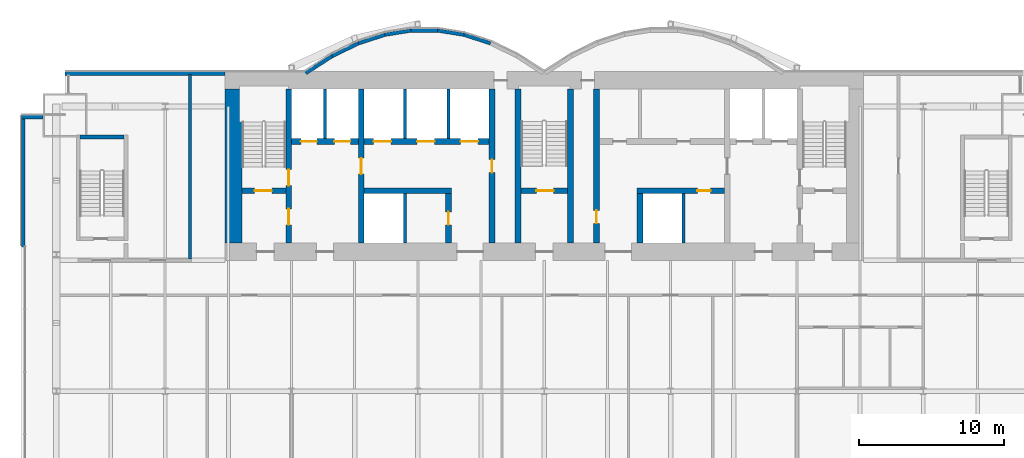
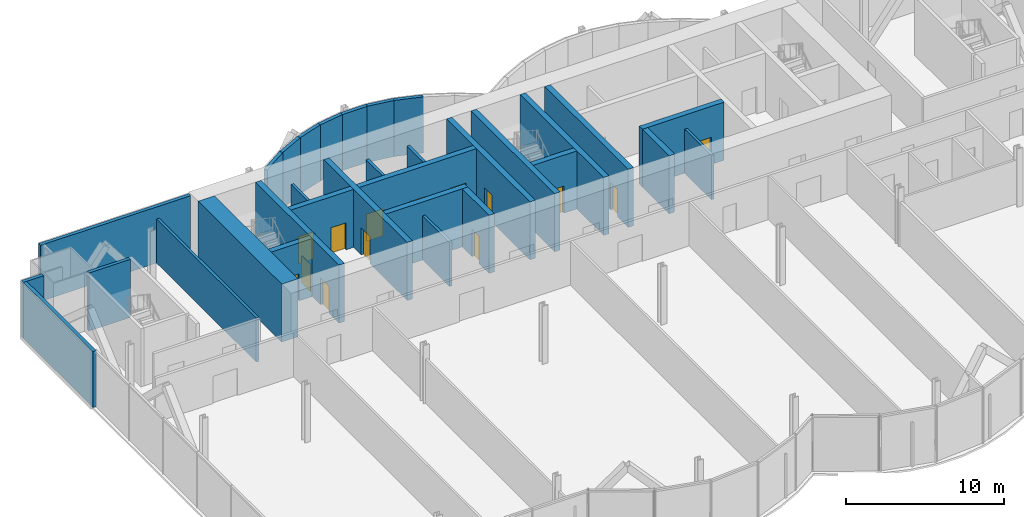
# One storey, part 16 of 21: 31 walls, 14 doors, 14 openings.
"""IFC4 building model written with IfcOpenShell, lengths in metres."""

from ifc_helpers import new_model, si_unit, direction, frame, frame_2d, origin, place, context, subcontext, project, spatial, rectangle, extrude, material, layer, layer_set, layer_usage, type_object, element, fill, save


model = new_model("IFC4")

# Units and contexts
model_context = context("Model", 3, precision=1e-05, world=origin(), true_north=direction((0.0, 1.0)))
body_context = subcontext(model_context, "Body", "Model", "MODEL_VIEW")
ifc_project = project(units=[si_unit("LENGTHUNIT", "METRE"), si_unit("AREAUNIT", "SQUARE_METRE"), si_unit("VOLUMEUNIT", "CUBIC_METRE"), si_unit("PLANEANGLEUNIT", "RADIAN"), si_unit("MASSUNIT", "GRAM", prefix="KILO")], contexts=[model_context])

# Site, building, storey
site_placement = place(None, origin())
site = spatial("IfcSite", under=ifc_project, at=site_placement, CompositionType="ELEMENT")
building_placement = place(site_placement, origin())
building = spatial("IfcBuilding", under=site, at=building_placement, Name="Bicima Exchange Tower", CompositionType="ELEMENT")
storey_placement = place(building_placement, frame((0.0, 0.0, 48.5)))
storey = spatial("IfcBuildingStorey", under=building, at=storey_placement, Name="L09", CompositionType="ELEMENT", Elevation=48.5)

# Walls
ifc_material_1 = material(Name="Gypsum board partition")
ifc_layer_1 = layer(ifc_material_1, 0.199951171875)
ifc_layer_set_1 = layer_set([ifc_layer_1], Name="Gypsum board partition")
wall_type_1 = type_object("IfcWallType", Name="Fire-rated gypsum partition 200 EI120", PredefinedType="PARTITIONING", material=ifc_layer_set_1)
for number, where, z_axis, x_axis, name in (
    (1, (-15.10009765625, -4.60009765625, 0.0), (0.0, 0.0, 1.0), (0.0, 1.0, 0.0), "partition wall 9"),
    (2, (-9.60009765625, -11.800048828125, 0.0), (0.0, 0.0, 1.0), (0.0, 1.0, 0.0), "partition wall 11"),
    (3, (-9.60009765625, -4.60009765625, 0.0), (0.0, 0.0, 1.0), (0.0, 1.0, 0.0), "partition wall 12"),
    (4, (-6.60009765625, -4.60009765625, 0.0), (0.0, 0.0, 1.0), (0.0, 1.0, 0.0), "partition wall 14"),
    (5, (9.60009765625, -11.800048828125, 0.0), (0.0, 0.0, 1.0), (0.0, 1.0, 0.0), "partition wall 21"),
):
    element("IfcWall", number, at=place(storey_placement, frame(where, z_axis=z_axis, x_axis=x_axis)), inside=storey, type_object=wall_type_1, Name=name, PredefinedType="PARTITIONING", context=body_context, shape_type="SweptSolid", body=[
        extrude(rectangle(XDim=3.400146484375, YDim=0.199951171875, at=frame_2d((1.7001953125, 0.0))), origin(), (0.0, 0.0, 1.0), 3.418212890625),
    ])
ifc_layer_2 = layer(ifc_material_1, 0.199951171875)
ifc_layer_set_2 = layer_set([ifc_layer_2], Name="Gypsum board partition")
wall_type_2 = type_object("IfcWallType", Name="Fire-rated gypsum partition 200 EI60", PredefinedType="PARTITIONING", material=ifc_layer_set_2)
wall_1_placement = place(storey_placement, frame((-24.39990234375, -12.89990234375, 0.0), z_axis=(0.0, 0.0, 1.0), x_axis=(0.0, 1.0, 0.0)))
element("IfcWall", 6, at=wall_1_placement, inside=storey, type_object=wall_type_2, Name="partition wall 14", PredefinedType="PARTITIONING", context=body_context, shape_type="SweptSolid", body=[
    extrude(rectangle(XDim=12.68994140625, YDim=0.199951171875, at=frame_2d((6.344970703125, 0.0))), origin(), (0.0, 0.0, 1.0), 3.418212890625),
])
ifc_material_2 = material(Name="Concrete C60/75", Category="concrete")
ifc_layer_3 = layer(ifc_material_2, 1.199951171875)
ifc_layer_set_3 = layer_set([ifc_layer_3], Name="Concrete C60/75")
wall_type_3 = type_object("IfcWallType", Name="RC core wall 1200 C60/75", PredefinedType="SHEAR", material=ifc_layer_set_3)
wall_2_placement = place(storey_placement, frame((-21.39990234375, -11.800048828125, 0.0), z_axis=(0.0, 0.0, 1.0), x_axis=(0.0, 1.0, 0.0)))
element("IfcWall", 7, at=wall_2_placement, inside=storey, type_object=wall_type_3, Name="Core wall west", PredefinedType="SHEAR", context=body_context, shape_type="SweptSolid", body=[
    extrude(rectangle(XDim=10.60009765625, YDim=1.199951171875, at=frame_2d((5.300048828125, 0.0))), origin(), (0.0, 0.0, 1.0), 4.5),
])

# Wall, opening, door
ifc_material_3 = material(Name="Concrete C50/60", Category="concrete")
ifc_layer_4 = layer(ifc_material_3, 0.39990234375)
ifc_layer_set_4 = layer_set([ifc_layer_4], Name="Concrete C50/60")
wall_type_4 = type_object("IfcWallType", Name="RC core wall 400 C50/60", PredefinedType="SHEAR", material=ifc_layer_set_4)
wall_3_placement = place(storey_placement, frame((-20.800048828125, -8.199951171875, 0.0), z_axis=(0.0, 0.0, 1.0), x_axis=(1.0, 0.0, 0.0)))
wall_3 = element("IfcWall", 8, at=wall_3_placement, inside=storey, type_object=wall_type_4, Name="stair wall 1", PredefinedType="SHEAR", context=body_context, shape_type="SweptSolid", body=[
    extrude(rectangle(XDim=3.0, YDim=0.39990234375, at=frame_2d((1.5, 0.0))), origin(), (0.0, 0.0, 1.0), 4.5),
])
opening_1_placement = place(wall_3_placement, frame((0.85009765625, 0.0, 0.0)))
opening_1 = element("IfcOpeningElement", 9, at=opening_1_placement, cuts=wall_3, Name="Opening L09-C01", PredefinedType="OPENING", context=body_context, shape_type="SweptSolid", body=[
    extrude(rectangle(XDim=1.199951171875, YDim=2.10009765625, at=frame_2d((0.60009765625, 1.050048828125))), frame((0.0, 0.2119140625, 0.0), z_axis=(0.0, -1.0, 0.0), x_axis=(1.0, 0.0, 0.0)), (0.0, 0.0, 1.0), 0.423828125),
])
ifc_material_4 = material(Name="Steel fire door leaf", Category="steel")
door_type_1 = type_object("IfcDoorType", Name="Door 1200 swing FD60S", OperationType="SINGLE_SWING_LEFT", PredefinedType="DOOR", material=ifc_material_4)
door_1_placement = place(opening_1_placement, origin())
door_1 = element("IfcDoor", 10, at=door_1_placement, inside=storey, type_object=door_type_1, Name="Core door", OperationType="SINGLE_SWING_LEFT", OverallHeight=2.10009765625, OverallWidth=1.199951171875, PredefinedType="DOOR", context=body_context, shape_type="SweptSolid", body=[
    extrude(rectangle(XDim=1.199951171875, YDim=2.10009765625, at=frame_2d((0.60009765625, 1.050048828125))), frame((0.0, 0.02490234375, 0.0), z_axis=(0.0, -1.0, 0.0), x_axis=(1.0, 0.0, 0.0)), (0.0, 0.0, 1.0), 0.050048828125),
])
fill(opening_1, door_1)

wall_4_placement = place(storey_placement, frame((-1.60009765625, -8.199951171875, 0.0), z_axis=(0.0, 0.0, 1.0), x_axis=(1.0, 0.0, 0.0)))
wall_4 = element("IfcWall", 11, at=wall_4_placement, inside=storey, type_object=wall_type_4, Name="stair wall 3", PredefinedType="SHEAR", context=body_context, shape_type="SweptSolid", body=[
    extrude(rectangle(XDim=3.2001953125, YDim=0.39990234375, at=frame_2d((1.60009765625, 0.0))), origin(), (0.0, 0.0, 1.0), 4.5),
])
opening_2_placement = place(wall_4_placement, frame((1.050048828125, 0.0, 0.0)))
opening_2 = element("IfcOpeningElement", 12, at=opening_2_placement, cuts=wall_4, Name="Opening L09-C03", PredefinedType="OPENING", context=body_context, shape_type="SweptSolid", body=[
    extrude(rectangle(XDim=1.199951171875, YDim=2.10009765625, at=frame_2d((0.60009765625, 1.050048828125))), frame((0.0, 0.2119140625, 0.0), z_axis=(0.0, -1.0, 0.0), x_axis=(1.0, 0.0, 0.0)), (0.0, 0.0, 1.0), 0.423828125),
])
door_2_placement = place(opening_2_placement, origin())
door_2 = element("IfcDoor", 13, at=door_2_placement, inside=storey, type_object=door_type_1, Name="Core door", OperationType="SINGLE_SWING_LEFT", OverallHeight=2.10009765625, OverallWidth=1.199951171875, PredefinedType="DOOR", context=body_context, shape_type="SweptSolid", body=[
    extrude(rectangle(XDim=1.199951171875, YDim=2.10009765625, at=frame_2d((0.60009765625, 1.050048828125))), frame((0.0, 0.02490234375, 0.0), z_axis=(0.0, -1.0, 0.0), x_axis=(1.0, 0.0, 0.0)), (0.0, 0.0, 1.0), 0.050048828125),
])
fill(opening_2, door_2)

# Wall, openings, doors
wall_5_placement = place(storey_placement, frame((-17.60009765625, -11.800048828125, 0.0), z_axis=(0.0, 0.0, 1.0), x_axis=(0.0, 1.0, 0.0)))
wall_5 = element("IfcWall", 14, at=wall_5_placement, inside=storey, type_object=wall_type_4, Name="stair wall 8", PredefinedType="SHEAR", context=body_context, shape_type="SweptSolid", body=[
    extrude(rectangle(XDim=10.60009765625, YDim=0.39990234375, at=frame_2d((5.300048828125, 0.0))), origin(), (0.0, 0.0, 1.0), 4.5),
])
opening_3_placement = place(wall_5_placement, frame((1.25, 0.0, 0.0)))
opening_3 = element("IfcOpeningElement", 15, at=opening_3_placement, cuts=wall_5, Name="Opening L09-C02", PredefinedType="OPENING", context=body_context, shape_type="SweptSolid", body=[
    extrude(rectangle(XDim=1.10009765625, YDim=2.10009765625, at=frame_2d((0.550048828125, 1.050048828125))), frame((0.0, 0.2119140625, 0.0), z_axis=(0.0, -1.0, 0.0), x_axis=(1.0, 0.0, 0.0)), (0.0, 0.0, 1.0), 0.423828125),
])
opening_4_placement = place(wall_5_placement, frame((3.949951171875, 0.0, 0.0)))
opening_4 = element("IfcOpeningElement", 16, at=opening_4_placement, cuts=wall_5, Name="Opening L09-C06", PredefinedType="OPENING", context=body_context, shape_type="SweptSolid", body=[
    extrude(rectangle(XDim=1.10009765625, YDim=2.10009765625, at=frame_2d((0.550048828125, 1.050048828125))), frame((0.0, 0.2119140625, 0.0), z_axis=(0.0, -1.0, 0.0), x_axis=(1.0, 0.0, 0.0)), (0.0, 0.0, 1.0), 0.423828125),
])
door_type_2 = type_object("IfcDoorType", Name="Door 1100 swing FD60S", OperationType="SINGLE_SWING_LEFT", PredefinedType="DOOR", material=ifc_material_4)
door_3_placement = place(opening_3_placement, frame((1.10009765625, 0.0, 0.0), z_axis=(0.0, 0.0, 1.0), x_axis=(-1.0, 0.0, 0.0)))
door_3 = element("IfcDoor", 17, at=door_3_placement, inside=storey, type_object=door_type_2, Name="Core door", OperationType="SINGLE_SWING_LEFT", OverallHeight=2.10009765625, OverallWidth=1.10009765625, PredefinedType="DOOR", context=body_context, shape_type="SweptSolid", body=[
    extrude(rectangle(XDim=1.10009765625, YDim=2.10009765625, at=frame_2d((0.550048828125, 1.050048828125))), frame((0.0, 0.02490234375, 0.0), z_axis=(0.0, -1.0, 0.0), x_axis=(1.0, 0.0, 0.0)), (0.0, 0.0, 1.0), 0.050048828125),
])
fill(opening_3, door_3)
door_4_placement = place(opening_4_placement, frame((1.10009765625, 0.0, 0.0), z_axis=(0.0, 0.0, 1.0), x_axis=(-1.0, 0.0, 0.0)))
door_4 = element("IfcDoor", 18, at=door_4_placement, inside=storey, type_object=door_type_2, Name="Core door", OperationType="SINGLE_SWING_LEFT", OverallHeight=2.10009765625, OverallWidth=1.10009765625, PredefinedType="DOOR", context=body_context, shape_type="SweptSolid", body=[
    extrude(rectangle(XDim=1.10009765625, YDim=2.10009765625, at=frame_2d((0.550048828125, 1.050048828125))), frame((0.0, 0.02490234375, 0.0), z_axis=(0.0, -1.0, 0.0), x_axis=(1.0, 0.0, 0.0)), (0.0, 0.0, 1.0), 0.050048828125),
])
fill(opening_4, door_4)

# Walls
for number, where, z_axis, x_axis, name in (
    (19, (-1.800048828125, -11.800048828125, 0.0), (0.0, 0.0, 1.0), (0.0, 1.0, 0.0), "stair wall 16"),
    (20, (1.800048828125, -11.800048828125, 0.0), (0.0, 0.0, 1.0), (0.0, 1.0, 0.0), "stair wall 17"),
):
    element("IfcWall", number, at=place(storey_placement, frame(where, z_axis=z_axis, x_axis=x_axis)), inside=storey, type_object=wall_type_4, Name=name, PredefinedType="SHEAR", context=body_context, shape_type="SweptSolid", body=[
        extrude(rectangle(XDim=10.60009765625, YDim=0.39990234375, at=frame_2d((5.300048828125, 0.0))), origin(), (0.0, 0.0, 1.0), 4.5),
    ])
ifc_layer_5 = layer(ifc_material_2, 0.39990234375)
ifc_layer_set_5 = layer_set([ifc_layer_5], Name="Concrete C60/75")
wall_type_5 = type_object("IfcWallType", Name="RC core wall 400 C60/75", PredefinedType="SHEAR", material=ifc_layer_set_5)
wall_6_placement = place(storey_placement, frame((-12.39990234375, -8.199951171875, 0.0), z_axis=(0.0, 0.0, 1.0), x_axis=(1.0, 0.0, 0.0)))
element("IfcWall", 21, at=wall_6_placement, inside=storey, type_object=wall_type_5, Name="shear wall 2", PredefinedType="SHEAR", context=body_context, shape_type="SweptSolid", body=[
    extrude(rectangle(XDim=6.0, YDim=0.39990234375, at=frame_2d((3.0, 0.0))), origin(), (0.0, 0.0, 1.0), 4.5),
])

# Wall, opening, door
wall_7_placement = place(storey_placement, frame((6.39990234375, -8.199951171875, 0.0), z_axis=(0.0, 0.0, 1.0), x_axis=(1.0, 0.0, 0.0)))
wall_7 = element("IfcWall", 22, at=wall_7_placement, inside=storey, type_object=wall_type_5, Name="shear wall 4", PredefinedType="SHEAR", context=body_context, shape_type="SweptSolid", body=[
    extrude(rectangle(XDim=6.0, YDim=0.39990234375, at=frame_2d((3.0, 0.0))), origin(), (0.0, 0.0, 1.0), 4.5),
])
opening_5_placement = place(wall_7_placement, frame((4.14990234375, 0.0, 0.0)))
opening_5 = element("IfcOpeningElement", 23, at=opening_5_placement, cuts=wall_7, Name="Opening L09-C15", PredefinedType="OPENING", context=body_context, shape_type="SweptSolid", body=[
    extrude(rectangle(XDim=0.89990234375, YDim=2.10009765625, at=frame_2d((0.449951171875, 1.050048828125))), frame((0.0, 0.2119140625, 0.0), z_axis=(0.0, -1.0, 0.0), x_axis=(1.0, 0.0, 0.0)), (0.0, 0.0, 1.0), 0.423828125),
])
door_type_3 = type_object("IfcDoorType", Name="Door 900 swing FD30S", OperationType="SINGLE_SWING_LEFT", PredefinedType="DOOR", material=ifc_material_4)
door_5_placement = place(opening_5_placement, frame((0.89990234375, 0.0, 0.0), z_axis=(0.0, 0.0, 1.0), x_axis=(-1.0, 0.0, 0.0)))
door_5 = element("IfcDoor", 24, at=door_5_placement, inside=storey, type_object=door_type_3, Name="Core door", OperationType="SINGLE_SWING_RIGHT", OverallHeight=2.10009765625, OverallWidth=0.89990234375, PredefinedType="DOOR", context=body_context, shape_type="SweptSolid", body=[
    extrude(rectangle(XDim=0.89990234375, YDim=2.10009765625, at=frame_2d((0.449951171875, 1.050048828125))), frame((0.0, 0.02490234375, 0.0), z_axis=(0.0, -1.0, 0.0), x_axis=(1.0, 0.0, 0.0)), (0.0, 0.0, 1.0), 0.050048828125),
])
fill(opening_5, door_5)

# Wall, openings, doors
wall_8_placement = place(storey_placement, frame((-17.39990234375, -4.800048828125, 0.0), z_axis=(0.0, 0.0, 1.0), x_axis=(1.0, 0.0, 0.0)))
wall_8 = element("IfcWall", 25, at=wall_8_placement, inside=storey, type_object=wall_type_5, Name="shear wall 6", PredefinedType="SHEAR", context=body_context, shape_type="SweptSolid", body=[
    extrude(rectangle(XDim=13.599853515625, YDim=0.39990234375, at=frame_2d((6.7998046875, 0.0))), origin(), (0.0, 0.0, 1.0), 4.5),
])
opening_6_placement = place(wall_8_placement, frame((0.64990234375, 0.0, 0.0)))
opening_6 = element("IfcOpeningElement", 26, at=opening_6_placement, cuts=wall_8, Name="Opening LD-FF1-L09", PredefinedType="OPENING", context=body_context, shape_type="SweptSolid", body=[
    extrude(rectangle(XDim=1.10009765625, YDim=2.10009765625, at=frame_2d((0.550048828125, 1.050048828125))), frame((0.0, 0.2119140625, 0.0), z_axis=(0.0, -1.0, 0.0), x_axis=(1.0, 0.0, 0.0)), (0.0, 0.0, 1.0), 0.423828125),
])
opening_7_placement = place(wall_8_placement, frame((2.949951171875, 0.0, 0.0)))
opening_7 = element("IfcOpeningElement", 27, at=opening_7_placement, cuts=wall_8, Name="Opening LD-FF3-L09", PredefinedType="OPENING", context=body_context, shape_type="SweptSolid", body=[
    extrude(rectangle(XDim=1.10009765625, YDim=2.10009765625, at=frame_2d((0.550048828125, 1.050048828125))), frame((0.0, 0.2119140625, 0.0), z_axis=(0.0, -1.0, 0.0), x_axis=(1.0, 0.0, 0.0)), (0.0, 0.0, 1.0), 0.423828125),
])
opening_8_placement = place(wall_8_placement, frame((5.64990234375, 0.0, 0.0)))
opening_8 = element("IfcOpeningElement", 28, at=opening_8_placement, cuts=wall_8, Name="Opening LD-LB1-L09", PredefinedType="OPENING", context=body_context, shape_type="SweptSolid", body=[
    extrude(rectangle(XDim=1.199951171875, YDim=2.10009765625, at=frame_2d((0.60009765625, 1.050048828125))), frame((0.0, 0.2119140625, 0.0), z_axis=(0.0, -1.0, 0.0), x_axis=(1.0, 0.0, 0.0)), (0.0, 0.0, 1.0), 0.423828125),
])
opening_9_placement = place(wall_8_placement, frame((8.64990234375, 0.0, 0.0)))
opening_9 = element("IfcOpeningElement", 29, at=opening_9_placement, cuts=wall_8, Name="Opening LD-LB2-L09", PredefinedType="OPENING", context=body_context, shape_type="SweptSolid", body=[
    extrude(rectangle(XDim=1.199951171875, YDim=2.10009765625, at=frame_2d((0.60009765625, 1.050048828125))), frame((0.0, 0.2119140625, 0.0), z_axis=(0.0, -1.0, 0.0), x_axis=(1.0, 0.0, 0.0)), (0.0, 0.0, 1.0), 0.423828125),
])
opening_10_placement = place(wall_8_placement, frame((11.64990234375, 0.0, 0.0)))
opening_10 = element("IfcOpeningElement", 30, at=opening_10_placement, cuts=wall_8, Name="Opening LD-LB3-L09", PredefinedType="OPENING", context=body_context, shape_type="SweptSolid", body=[
    extrude(rectangle(XDim=1.199951171875, YDim=2.10009765625, at=frame_2d((0.60009765625, 1.050048828125))), frame((0.0, 0.2119140625, 0.0), z_axis=(0.0, -1.0, 0.0), x_axis=(1.0, 0.0, 0.0)), (0.0, 0.0, 1.0), 0.423828125),
])
ifc_material_5 = material(Name="Stainless steel", Category="steel")
door_type_4 = type_object("IfcDoorType", Name="Lift landing door 1100 sliding", OperationType="DOUBLE_DOOR_SLIDING", PredefinedType="DOOR", material=ifc_material_5)
door_6_placement = place(opening_6_placement, origin())
door_6 = element("IfcDoor", 31, at=door_6_placement, inside=storey, type_object=door_type_4, Name="Lift landing door FF1", OperationType="DOUBLE_DOOR_SLIDING", OverallHeight=2.10009765625, OverallWidth=1.10009765625, PredefinedType="DOOR", context=body_context, shape_type="SweptSolid", body=[
    extrude(rectangle(XDim=1.10009765625, YDim=2.10009765625, at=frame_2d((0.550048828125, 1.050048828125))), frame((0.0, 0.02490234375, 0.0), z_axis=(0.0, -1.0, 0.0), x_axis=(1.0, 0.0, 0.0)), (0.0, 0.0, 1.0), 0.050048828125),
])
fill(opening_6, door_6)
door_7_placement = place(opening_7_placement, origin())
door_7 = element("IfcDoor", 32, at=door_7_placement, inside=storey, type_object=door_type_4, Name="Lift landing door FF3", OperationType="DOUBLE_DOOR_SLIDING", OverallHeight=2.10009765625, OverallWidth=1.10009765625, PredefinedType="DOOR", context=body_context, shape_type="SweptSolid", body=[
    extrude(rectangle(XDim=1.10009765625, YDim=2.10009765625, at=frame_2d((0.550048828125, 1.050048828125))), frame((0.0, 0.02490234375, 0.0), z_axis=(0.0, -1.0, 0.0), x_axis=(1.0, 0.0, 0.0)), (0.0, 0.0, 1.0), 0.050048828125),
])
fill(opening_7, door_7)
door_type_5 = type_object("IfcDoorType", Name="Lift landing door 1200 sliding", OperationType="DOUBLE_DOOR_SLIDING", PredefinedType="DOOR", material=ifc_material_5)
door_8_placement = place(opening_8_placement, origin())
door_8 = element("IfcDoor", 33, at=door_8_placement, inside=storey, type_object=door_type_5, Name="Lift landing door LB1", OperationType="DOUBLE_DOOR_SLIDING", OverallHeight=2.10009765625, OverallWidth=1.199951171875, PredefinedType="DOOR", context=body_context, shape_type="SweptSolid", body=[
    extrude(rectangle(XDim=1.199951171875, YDim=2.10009765625, at=frame_2d((0.60009765625, 1.050048828125))), frame((0.0, 0.02490234375, 0.0), z_axis=(0.0, -1.0, 0.0), x_axis=(1.0, 0.0, 0.0)), (0.0, 0.0, 1.0), 0.050048828125),
])
fill(opening_8, door_8)
door_9_placement = place(opening_9_placement, origin())
door_9 = element("IfcDoor", 34, at=door_9_placement, inside=storey, type_object=door_type_5, Name="Lift landing door LB2", OperationType="DOUBLE_DOOR_SLIDING", OverallHeight=2.10009765625, OverallWidth=1.199951171875, PredefinedType="DOOR", context=body_context, shape_type="SweptSolid", body=[
    extrude(rectangle(XDim=1.199951171875, YDim=2.10009765625, at=frame_2d((0.60009765625, 1.050048828125))), frame((0.0, 0.02490234375, 0.0), z_axis=(0.0, -1.0, 0.0), x_axis=(1.0, 0.0, 0.0)), (0.0, 0.0, 1.0), 0.050048828125),
])
fill(opening_9, door_9)
door_10_placement = place(opening_10_placement, origin())
door_10 = element("IfcDoor", 35, at=door_10_placement, inside=storey, type_object=door_type_5, Name="Lift landing door LB3", OperationType="DOUBLE_DOOR_SLIDING", OverallHeight=2.10009765625, OverallWidth=1.199951171875, PredefinedType="DOOR", context=body_context, shape_type="SweptSolid", body=[
    extrude(rectangle(XDim=1.199951171875, YDim=2.10009765625, at=frame_2d((0.60009765625, 1.050048828125))), frame((0.0, 0.02490234375, 0.0), z_axis=(0.0, -1.0, 0.0), x_axis=(1.0, 0.0, 0.0)), (0.0, 0.0, 1.0), 0.050048828125),
])
fill(opening_10, door_10)

# Wall, opening, door
wall_9_placement = place(storey_placement, frame((-12.60009765625, -11.800048828125, 0.0), z_axis=(0.0, 0.0, 1.0), x_axis=(0.0, 1.0, 0.0)))
wall_9 = element("IfcWall", 36, at=wall_9_placement, inside=storey, type_object=wall_type_5, Name="shear wall 10", PredefinedType="SHEAR", context=body_context, shape_type="SweptSolid", body=[
    extrude(rectangle(XDim=10.60009765625, YDim=0.39990234375, at=frame_2d((5.300048828125, 0.0))), origin(), (0.0, 0.0, 1.0), 4.5),
])
opening_11_placement = place(wall_9_placement, frame((4.75, 0.0, 0.0)))
opening_11 = element("IfcOpeningElement", 37, at=opening_11_placement, cuts=wall_9, Name="Opening L09-C07", PredefinedType="OPENING", context=body_context, shape_type="SweptSolid", body=[
    extrude(rectangle(XDim=1.10009765625, YDim=2.10009765625, at=frame_2d((0.550048828125, 1.050048828125))), frame((0.0, 0.2119140625, 0.0), z_axis=(0.0, -1.0, 0.0), x_axis=(1.0, 0.0, 0.0)), (0.0, 0.0, 1.0), 0.423828125),
])
door_11_placement = place(opening_11_placement, origin())
door_11 = element("IfcDoor", 38, at=door_11_placement, inside=storey, type_object=door_type_2, Name="Core door", OperationType="SINGLE_SWING_LEFT", OverallHeight=2.10009765625, OverallWidth=1.10009765625, PredefinedType="DOOR", context=body_context, shape_type="SweptSolid", body=[
    extrude(rectangle(XDim=1.10009765625, YDim=2.10009765625, at=frame_2d((0.550048828125, 1.050048828125))), frame((0.0, 0.02490234375, 0.0), z_axis=(0.0, -1.0, 0.0), x_axis=(1.0, 0.0, 0.0)), (0.0, 0.0, 1.0), 0.050048828125),
])
fill(opening_11, door_11)

wall_10_placement = place(storey_placement, frame((-6.60009765625, -11.800048828125, 0.0), z_axis=(0.0, 0.0, 1.0), x_axis=(0.0, 1.0, 0.0)))
wall_10 = element("IfcWall", 39, at=wall_10_placement, inside=storey, type_object=wall_type_5, Name="shear wall 13", PredefinedType="SHEAR", context=body_context, shape_type="SweptSolid", body=[
    extrude(rectangle(XDim=3.400146484375, YDim=0.39990234375, at=frame_2d((1.7001953125, 0.0))), origin(), (0.0, 0.0, 1.0), 4.5),
])
opening_12_placement = place(wall_10_placement, frame((1.25, 0.0, 0.0)))
opening_12 = element("IfcOpeningElement", 40, at=opening_12_placement, cuts=wall_10, Name="Opening L09-C14", PredefinedType="OPENING", context=body_context, shape_type="SweptSolid", body=[
    extrude(rectangle(XDim=0.89990234375, YDim=2.10009765625, at=frame_2d((0.449951171875, 1.050048828125))), frame((0.0, 0.2119140625, 0.0), z_axis=(0.0, -1.0, 0.0), x_axis=(1.0, 0.0, 0.0)), (0.0, 0.0, 1.0), 0.423828125),
])
door_12_placement = place(opening_12_placement, origin())
door_12 = element("IfcDoor", 41, at=door_12_placement, inside=storey, type_object=door_type_3, Name="Core door", OperationType="SINGLE_SWING_RIGHT", OverallHeight=2.10009765625, OverallWidth=0.89990234375, PredefinedType="DOOR", context=body_context, shape_type="SweptSolid", body=[
    extrude(rectangle(XDim=0.89990234375, YDim=2.10009765625, at=frame_2d((0.449951171875, 1.050048828125))), frame((0.0, 0.02490234375, 0.0), z_axis=(0.0, -1.0, 0.0), x_axis=(1.0, 0.0, 0.0)), (0.0, 0.0, 1.0), 0.050048828125),
])
fill(opening_12, door_12)

wall_11_placement = place(storey_placement, frame((-3.60009765625, -11.800048828125, 0.0), z_axis=(0.0, 0.0, 1.0), x_axis=(0.0, 1.0, 0.0)))
wall_11 = element("IfcWall", 42, at=wall_11_placement, inside=storey, type_object=wall_type_5, Name="shear wall 15", PredefinedType="SHEAR", context=body_context, shape_type="SweptSolid", body=[
    extrude(rectangle(XDim=10.60009765625, YDim=0.39990234375, at=frame_2d((5.300048828125, 0.0))), origin(), (0.0, 0.0, 1.0), 4.5),
])
opening_13_placement = place(wall_11_placement, frame((4.85009765625, 0.0, 0.0)))
opening_13 = element("IfcOpeningElement", 43, at=opening_13_placement, cuts=wall_11, Name="Opening L09-C10", PredefinedType="OPENING", context=body_context, shape_type="SweptSolid", body=[
    extrude(rectangle(XDim=0.89990234375, YDim=2.10009765625, at=frame_2d((0.449951171875, 1.050048828125))), frame((0.0, 0.2119140625, 0.0), z_axis=(0.0, -1.0, 0.0), x_axis=(1.0, 0.0, 0.0)), (0.0, 0.0, 1.0), 0.423828125),
])
door_13_placement = place(opening_13_placement, frame((0.89990234375, 0.0, 0.0), z_axis=(0.0, 0.0, 1.0), x_axis=(-1.0, 0.0, 0.0)))
door_13 = element("IfcDoor", 44, at=door_13_placement, inside=storey, type_object=door_type_3, Name="Core door", OperationType="SINGLE_SWING_LEFT", OverallHeight=2.10009765625, OverallWidth=0.89990234375, PredefinedType="DOOR", context=body_context, shape_type="SweptSolid", body=[
    extrude(rectangle(XDim=0.89990234375, YDim=2.10009765625, at=frame_2d((0.449951171875, 1.050048828125))), frame((0.0, 0.02490234375, 0.0), z_axis=(0.0, -1.0, 0.0), x_axis=(1.0, 0.0, 0.0)), (0.0, 0.0, 1.0), 0.050048828125),
])
fill(opening_13, door_13)

wall_12_placement = place(storey_placement, frame((3.60009765625, -11.800048828125, 0.0), z_axis=(0.0, 0.0, 1.0), x_axis=(0.0, 1.0, 0.0)))
wall_12 = element("IfcWall", 45, at=wall_12_placement, inside=storey, type_object=wall_type_5, Name="shear wall 18", PredefinedType="SHEAR", context=body_context, shape_type="SweptSolid", body=[
    extrude(rectangle(XDim=10.60009765625, YDim=0.39990234375, at=frame_2d((5.300048828125, 0.0))), origin(), (0.0, 0.0, 1.0), 4.5),
])
opening_14_placement = place(wall_12_placement, frame((1.35009765625, 0.0, 0.0)))
opening_14 = element("IfcOpeningElement", 46, at=opening_14_placement, cuts=wall_12, Name="Opening L09-C11", PredefinedType="OPENING", context=body_context, shape_type="SweptSolid", body=[
    extrude(rectangle(XDim=0.89990234375, YDim=2.10009765625, at=frame_2d((0.449951171875, 1.050048828125))), frame((0.0, 0.2119140625, 0.0), z_axis=(0.0, -1.0, 0.0), x_axis=(1.0, 0.0, 0.0)), (0.0, 0.0, 1.0), 0.423828125),
])
door_14_placement = place(opening_14_placement, origin())
door_14 = element("IfcDoor", 47, at=door_14_placement, inside=storey, type_object=door_type_3, Name="Core door", OperationType="SINGLE_SWING_LEFT", OverallHeight=2.10009765625, OverallWidth=0.89990234375, PredefinedType="DOOR", context=body_context, shape_type="SweptSolid", body=[
    extrude(rectangle(XDim=0.89990234375, YDim=2.10009765625, at=frame_2d((0.449951171875, 1.050048828125))), frame((0.0, 0.02490234375, 0.0), z_axis=(0.0, -1.0, 0.0), x_axis=(1.0, 0.0, 0.0)), (0.0, 0.0, 1.0), 0.050048828125),
])
fill(opening_14, door_14)

# Walls
wall_13_placement = place(storey_placement, frame((6.60009765625, -11.800048828125, 0.0), z_axis=(0.0, 0.0, 1.0), x_axis=(0.0, 1.0, 0.0)))
element("IfcWall", 48, at=wall_13_placement, inside=storey, type_object=wall_type_5, Name="shear wall 19", PredefinedType="SHEAR", context=body_context, shape_type="SweptSolid", body=[
    extrude(rectangle(XDim=3.400146484375, YDim=0.39990234375, at=frame_2d((1.7001953125, 0.0))), origin(), (0.0, 0.0, 1.0), 4.5),
])
ifc_layer_6 = layer(ifc_material_3, 0.25)
ifc_layer_set_6 = layer_set([ifc_layer_6], Name="Concrete C50/60")
wall_type_6 = type_object("IfcWallType", Name="RC stair enclosure wall 250 C50/60", PredefinedType="SHEAR", material=ifc_layer_set_6)
wall_14_placement = place(storey_placement, frame((-31.97509765625, -4.5, 0.0), z_axis=(0.0, 0.0, 1.0), x_axis=(1.0, 0.0, 0.0)))
element("IfcWall", 49, at=wall_14_placement, inside=storey, type_object=wall_type_6, Name="West end exit stair wall N", PredefinedType="SHEAR", context=body_context, shape_type="SweptSolid", body=[
    extrude(rectangle(XDim=3.050048828125, YDim=0.25, at=frame_2d((1.52490234375, 0.0))), origin(), (0.0, 0.0, 1.0), 4.5),
])
ifc_material_6 = material(Name="Concrete C40/50", Category="concrete")
ifc_layer_7 = layer(ifc_material_6, 0.25)
ifc_layer_set_7 = layer_set([ifc_layer_7], Name="Concrete C40/50")
ifc_layer_usage = layer_usage(ifc_layer_set_7, "AXIS2", "POSITIVE", -0.125)
wall_type_7 = type_object("IfcWallType", Name="Rear backup wall 250", PredefinedType="STANDARD", material=ifc_layer_set_7)
wall_15_placement = place(storey_placement, frame((-3.705078125, 1.955078125, 0.0), z_axis=(0.0, 0.0, 1.0), x_axis=(-0.951495806175, 0.307661714928, 0.0)))
element("IfcWall", 50, at=wall_15_placement, inside=storey, type_object=wall_type_7, material=ifc_layer_usage, Name="Rear backup wall L09 13", PredefinedType="STANDARD", context=body_context, shape_type="SweptSolid", body=[
    extrude(rectangle(XDim=1.9267578125, YDim=0.25, at=frame_2d((0.96337890625, 0.0))), origin(), (0.0, 0.0, 1.0), 4.35009765625),
])
wall_16_placement = place(storey_placement, frame((-5.52001953125, 2.543212890625, 0.0), z_axis=(0.0, 0.0, 1.0), x_axis=(-0.987181718931, 0.159600293885, 0.0)))
element("IfcWall", 51, at=wall_16_placement, inside=storey, type_object=wall_type_7, material=ifc_layer_usage, Name="Rear backup wall L09 14", PredefinedType="STANDARD", context=body_context, shape_type="SweptSolid", body=[
    extrude(rectangle(XDim=1.857177734375, YDim=0.25, at=frame_2d((0.9287109375, 0.0))), origin(), (0.0, 0.0, 1.0), 4.35009765625),
])
wall_17_placement = place(storey_placement, frame((-7.333251953125, 2.837890625, 0.0), z_axis=(0.0, 0.0, 1.0), x_axis=(-1.0, 0.0, 0.0)))
element("IfcWall", 52, at=wall_17_placement, inside=storey, type_object=wall_type_7, material=ifc_layer_usage, Name="Rear backup wall L09 15", PredefinedType="STANDARD", context=body_context, shape_type="SweptSolid", body=[
    extrude(rectangle(XDim=1.83349609375, YDim=0.25, at=frame_2d((0.916748046875, 0.0))), origin(), (0.0, 0.0, 1.0), 4.35009765625),
])
wall_18_placement = place(storey_placement, frame((-9.146728515625, 2.839599609375, 0.0), z_axis=(0.0, 0.0, 1.0), x_axis=(-0.987181718931, -0.159600293885, 0.0)))
element("IfcWall", 53, at=wall_18_placement, inside=storey, type_object=wall_type_7, material=ifc_layer_usage, Name="Rear backup wall L09 16", PredefinedType="STANDARD", context=body_context, shape_type="SweptSolid", body=[
    extrude(rectangle(XDim=1.857177734375, YDim=0.25, at=frame_2d((0.9287109375, 0.0))), origin(), (0.0, 0.0, 1.0), 4.35009765625),
])
wall_19_placement = place(storey_placement, frame((-10.961669921875, 2.5478515625, 0.0), z_axis=(0.0, 0.0, 1.0), x_axis=(-0.951495806175, -0.307661714928, 0.0)))
element("IfcWall", 54, at=wall_19_placement, inside=storey, type_object=wall_type_7, material=ifc_layer_usage, Name="Rear backup wall L09 17", PredefinedType="STANDARD", context=body_context, shape_type="SweptSolid", body=[
    extrude(rectangle(XDim=1.9267578125, YDim=0.25, at=frame_2d((0.96337890625, 0.0))), origin(), (0.0, 0.0, 1.0), 4.35009765625),
])
wall_20_placement = place(storey_placement, frame((-12.77880859375, 1.961669921875, 0.0), z_axis=(0.0, 0.0, 1.0), x_axis=(-0.89982408427, -0.436252928206, 0.0)))
element("IfcWall", 55, at=wall_20_placement, inside=storey, type_object=wall_type_7, material=ifc_layer_usage, Name="Rear backup wall L09 18", PredefinedType="STANDARD", context=body_context, shape_type="SweptSolid", body=[
    extrude(rectangle(XDim=2.03759765625, YDim=0.25, at=frame_2d((1.018798828125, 0.0))), origin(), (0.0, 0.0, 1.0), 4.35009765625),
])
wall_21_placement = place(storey_placement, frame((-14.598876953125, 1.080078125, 0.0), z_axis=(0.0, 0.0, 1.0), x_axis=(-0.83981312244, -0.542875602121, 0.0)))
element("IfcWall", 56, at=wall_21_placement, inside=storey, type_object=wall_type_7, material=ifc_layer_usage, Name="Rear backup wall L09 19", PredefinedType="STANDARD", context=body_context, shape_type="SweptSolid", body=[
    extrude(rectangle(XDim=2.182861328125, YDim=0.25, at=frame_2d((1.09130859375, 0.0))), origin(), (0.0, 0.0, 1.0), 4.35009765625),
])
wall_22_placement = place(storey_placement, frame((-22.0, -0.125, 0.0), z_axis=(0.0, 0.0, 1.0), x_axis=(-1.0, 0.0, 0.0)))
element("IfcWall", 57, at=wall_22_placement, inside=storey, type_object=wall_type_7, material=ifc_layer_usage, Name="Rear backup wall L09 20", PredefinedType="STANDARD", context=body_context, shape_type="SweptSolid", body=[
    extrude(rectangle(XDim=11.0, YDim=0.25, at=frame_2d((5.5, 0.0))), origin(), (0.0, 0.0, 1.0), 4.35009765625),
])
wall_23_placement = place(storey_placement, frame((-34.5, -3.125, 0.0), z_axis=(0.0, 0.0, 1.0), x_axis=(-1.0, 0.0, 0.0)))
element("IfcWall", 58, at=wall_23_placement, inside=storey, type_object=wall_type_7, material=ifc_layer_usage, Name="Rear backup wall L09 22", PredefinedType="STANDARD", context=body_context, shape_type="SweptSolid", body=[
    extrude(rectangle(XDim=1.5, YDim=0.25, at=frame_2d((0.75, 0.0))), origin(), (0.0, 0.0, 1.0), 4.35009765625),
])
wall_24_placement = place(storey_placement, frame((-35.875, -3.0, 0.0), z_axis=(0.0, 0.0, 1.0), x_axis=(0.0, -1.0, 0.0)))
element("IfcWall", 59, at=wall_24_placement, inside=storey, type_object=wall_type_7, material=ifc_layer_usage, Name="Rear backup wall L09 23", PredefinedType="STANDARD", context=body_context, shape_type="SweptSolid", body=[
    extrude(rectangle(XDim=9.090087890625, YDim=0.25, at=frame_2d((4.544921875, 0.0))), origin(), (0.0, 0.0, 1.0), 4.35009765625),
])

save(model, "model.ifc")
